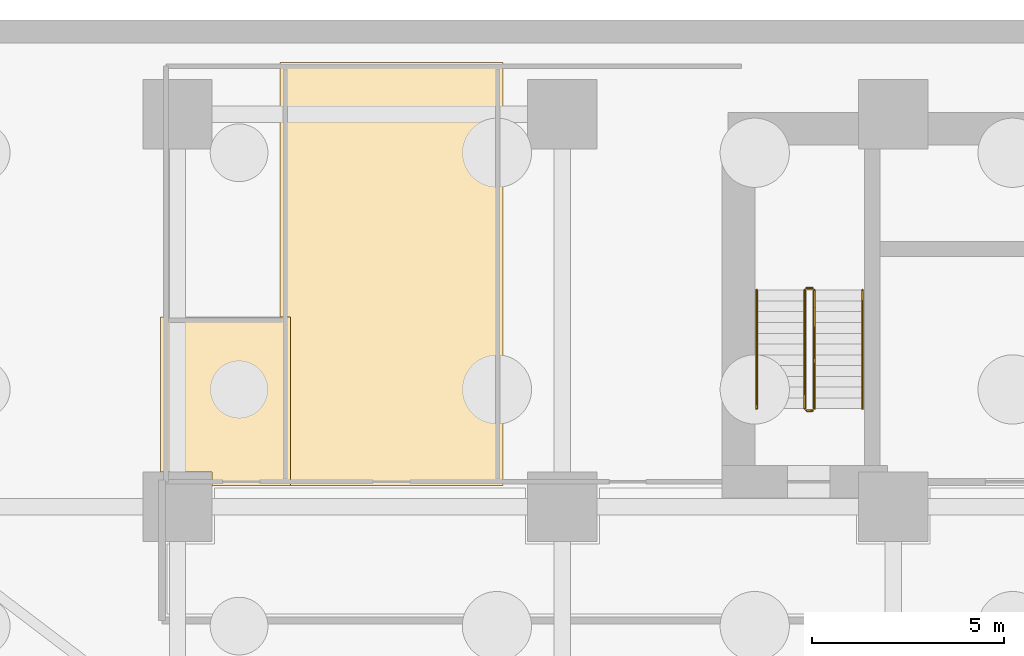
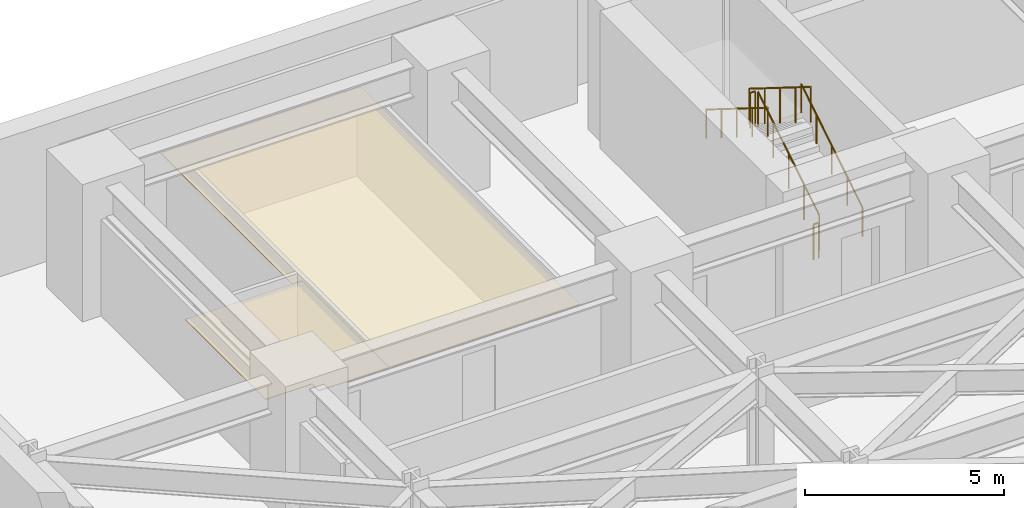
# One storey, part 7 of 12: 6 railings, 2 coverings.
"""IFC4 building model written with IfcOpenShell, lengths in metres."""

from ifc_helpers import new_model, si_unit, direction, frame, origin, origin_2d, place, context, subcontext, project, spatial, polyline, circle, outline, extrude, material, layer, layer_set, type_object, element, save


model = new_model("IFC4")

# Units and contexts
model_context = context("Model", 3, precision=1e-05, world=origin(), true_north=direction((0.0, 1.0)))
body_context = subcontext(model_context, "Body", "Model", "MODEL_VIEW")
ifc_project = project(units=[si_unit("LENGTHUNIT", "METRE"), si_unit("AREAUNIT", "SQUARE_METRE"), si_unit("VOLUMEUNIT", "CUBIC_METRE"), si_unit("PLANEANGLEUNIT", "RADIAN"), si_unit("MASSUNIT", "GRAM", prefix="KILO")], contexts=[model_context])

# Site, building, storey
site_placement = place(None, origin())
site = spatial("IfcSite", under=ifc_project, at=site_placement, CompositionType="ELEMENT")
building_placement = place(site_placement, origin())
building = spatial("IfcBuilding", under=site, at=building_placement, Name="Kravanh Interchange Tower", CompositionType="ELEMENT")
storey_placement = place(building_placement, frame((0.0, 0.0, -8.39990234375)))
storey = spatial("IfcBuildingStorey", under=building, at=storey_placement, Name="B2", CompositionType="ELEMENT", Elevation=-8.39990234375)

# Coverings
ifc_material_1 = material(Name="Acoustic Mineral Fibre Tile on Aluminium Grid", Category="aluminium")
ifc_layer_1 = layer(ifc_material_1, 0.02490234375)
ifc_layer_set_1 = layer_set([ifc_layer_1], Name="Perforated Acoustic Mineral Ceiling 25mm")
covering_type = type_object("IfcCoveringType", Name="Perforated Acoustic Mineral Ceiling 25mm", PredefinedType="CEILING", material=ifc_layer_set_1)
covering_1_placement = place(storey_placement, frame((0.0, 0.0, 2.5498046875)))
element("IfcCovering", 1, at=covering_1_placement, inside=storey, type_object=covering_type, Name="B2 Accessible WC Suspended Ceiling", PredefinedType="CEILING", context=body_context, shape_type="SweptSolid", body=[
    extrude(outline(polyline([(8.159912109375, 42.280029296875), (11.5400390625, 42.280029296875), (11.5400390625, 37.909912109375), (9.5, 37.909912109375), (9.5, 38.25), (8.159912109375, 38.25), (8.159912109375, 42.280029296875)])), origin(), (0.0, 0.0, 1.0), 0.025146484375),
])
covering_2_placement = place(storey_placement, frame((0.0, 0.0, 2.5498046875)))
element("IfcCovering", 2, at=covering_2_placement, inside=storey, type_object=covering_type, Name="B2 Female WC Suspended Ceiling", PredefinedType="CEILING", context=body_context, shape_type="SweptSolid", body=[
    extrude(outline(polyline([(17.06005859375, 48.889892578125), (17.06005859375, 37.909912109375), (11.260009765625, 37.909912109375), (11.260009765625, 48.889892578125), (17.06005859375, 48.889892578125)])), origin(), (0.0, 0.0, 1.0), 0.025146484375),
])

# Railings
ifc_material_2 = material(Name="Structural Steel S355", Category="steel")
ifc_layer_2 = layer(ifc_material_2, 0.050048828125)
ifc_layer_set_2 = layer_set([ifc_layer_2], Name="Stair Well Guardrail Structural Steel S355 1100mm")
railing_type_1 = type_object("IfcRailingType", Name="Stair Well Guardrail Structural Steel S355 1100mm", PredefinedType="GUARDRAIL", material=ifc_layer_set_2)
railing_1_placement = place(storey_placement, frame((25.14990234375, 39.89990234375, 0.1748046875)))
element("IfcRailing", 3, at=railing_1_placement, inside=storey, type_object=railing_type_1, Name="B2 ST3 stair guard 1", PredefinedType="GUARDRAIL", context=body_context, shape_type="SweptSolid", body=[
    extrude(circle(Radius=0.02392578125, at=origin_2d()), frame((0.0, 0.0, 1.076171875), z_axis=(0.0, 0.847998304005, 0.529998940003), x_axis=(-1.0, 0.0, 0.0)), (0.0, 0.0, 1.0), 3.632080078125),
    extrude(circle(Radius=0.02099609375, at=origin_2d()), origin(), (0.0, 0.0, 1.0), 1.052001953125),
    extrude(circle(Radius=0.02099609375, at=origin_2d()), frame((0.0, 0.77001953125, 0.481201171875)), (0.0, 0.0, 1.0), 1.052001953125),
    extrude(circle(Radius=0.02099609375, at=origin_2d()), frame((0.0, 1.5400390625, 0.96240234375)), (0.0, 0.0, 1.0), 1.052001953125),
    extrude(circle(Radius=0.02099609375, at=origin_2d()), frame((0.0, 2.31005859375, 1.44384765625)), (0.0, 0.0, 1.0), 1.052001953125),
    extrude(circle(Radius=0.02099609375, at=origin_2d()), frame((0.0, 3.080078125, 1.925048828125)), (0.0, 0.0, 1.0), 1.052001953125),
])
railing_2_placement = place(storey_placement, frame((25.10009765625, 43.030029296875, 2.099853515625)))
element("IfcRailing", 4, at=railing_2_placement, inside=storey, type_object=railing_type_1, Name="B2 ST3 stair guard 2", PredefinedType="GUARDRAIL", context=body_context, shape_type="SweptSolid", body=[
    extrude(circle(Radius=0.02392578125, at=origin_2d()), frame((0.0, 0.0, 1.076171875), z_axis=(-1.0, 0.0, 0.0), x_axis=(0.0, -1.0, 0.0)), (0.0, 0.0, 1.0), 0.150146484375),
    extrude(circle(Radius=0.02099609375, at=origin_2d()), origin(), (0.0, 0.0, 1.0), 1.052001953125),
    extrude(circle(Radius=0.02099609375, at=origin_2d()), frame((-0.150146484375, 0.0, 0.0)), (0.0, 0.0, 1.0), 1.052001953125),
])
railing_3_placement = place(storey_placement, frame((24.89990234375, 42.97998046875, 2.27490234375)))
element("IfcRailing", 5, at=railing_3_placement, inside=storey, type_object=railing_type_1, Name="B2 ST3 stair guard 3", PredefinedType="GUARDRAIL", context=body_context, shape_type="SweptSolid", body=[
    extrude(circle(Radius=0.02392578125, at=origin_2d()), frame((0.0, 0.0, 1.076171875), z_axis=(0.0, -0.847998304005, 0.529998940003), x_axis=(1.0, 0.0, 0.0)), (0.0, 0.0, 1.0), 3.632080078125),
    extrude(circle(Radius=0.02099609375, at=origin_2d()), origin(), (0.0, 0.0, 1.0), 1.052001953125),
    extrude(circle(Radius=0.02099609375, at=origin_2d()), frame((0.0, -0.77001953125, 0.481201171875)), (0.0, 0.0, 1.0), 1.052001953125),
    extrude(circle(Radius=0.02099609375, at=origin_2d()), frame((0.0, -1.5400390625, 0.96240234375)), (0.0, 0.0, 1.0), 1.052001953125),
    extrude(circle(Radius=0.02099609375, at=origin_2d()), frame((0.0, -2.31005859375, 1.44384765625)), (0.0, 0.0, 1.0), 1.052001953125),
    extrude(circle(Radius=0.02099609375, at=origin_2d()), frame((0.0, -3.080078125, 1.925048828125)), (0.0, 0.0, 1.0), 1.052001953125),
])
railing_4_placement = place(storey_placement, frame((25.10009765625, 39.85009765625, 0.0)))
element("IfcRailing", 6, at=railing_4_placement, inside=storey, type_object=railing_type_1, Name="B2 ST3 stair guard 4", PredefinedType="GUARDRAIL", context=body_context, shape_type="SweptSolid", body=[
    extrude(circle(Radius=0.02392578125, at=origin_2d()), frame((0.0, 0.0, 1.076171875), z_axis=(-1.0, 0.0, 0.0), x_axis=(0.0, -1.0, 0.0)), (0.0, 0.0, 1.0), 0.150146484375),
    extrude(circle(Radius=0.02099609375, at=origin_2d()), origin(), (0.0, 0.0, 1.0), 1.052001953125),
    extrude(circle(Radius=0.02099609375, at=origin_2d()), frame((-0.150146484375, 0.0, 0.0)), (0.0, 0.0, 1.0), 1.052001953125),
])
ifc_material_3 = material(Name="Stainless Steel 304", Category="steel")
ifc_layer_3 = layer(ifc_material_3, 0.044921875)
ifc_layer_set_3 = layer_set([ifc_layer_3], Name="Tubular Stair Handrail Stainless 304 900mm")
railing_type_2 = type_object("IfcRailingType", Name="Tubular Stair Handrail Stainless 304 900mm", PredefinedType="HANDRAIL", material=ifc_layer_set_3)
railing_5_placement = place(storey_placement, frame((26.39990234375, 39.89990234375, 0.1748046875)))
element("IfcRailing", 7, at=railing_5_placement, inside=storey, type_object=railing_type_2, Name="B2 ST3 stair handrail 1", PredefinedType="HANDRAIL", context=body_context, shape_type="SweptSolid", body=[
    extrude(circle(Radius=0.02392578125, at=origin_2d()), frame((0.0, 0.0, 0.8759765625), z_axis=(0.0, 0.847998304005, 0.529998940003), x_axis=(-1.0, 0.0, 0.0)), (0.0, 0.0, 1.0), 3.632080078125),
    extrude(circle(Radius=0.02099609375, at=origin_2d()), origin(), (0.0, 0.0, 1.0), 0.851806640625),
    extrude(circle(Radius=0.02099609375, at=origin_2d()), frame((0.0, 0.77001953125, 0.481201171875)), (0.0, 0.0, 1.0), 0.851806640625),
    extrude(circle(Radius=0.02099609375, at=origin_2d()), frame((0.0, 1.5400390625, 0.96240234375)), (0.0, 0.0, 1.0), 0.851806640625),
    extrude(circle(Radius=0.02099609375, at=origin_2d()), frame((0.0, 2.31005859375, 1.44384765625)), (0.0, 0.0, 1.0), 0.851806640625),
    extrude(circle(Radius=0.02099609375, at=origin_2d()), frame((0.0, 3.080078125, 1.925048828125)), (0.0, 0.0, 1.0), 0.851806640625),
])
railing_6_placement = place(storey_placement, frame((23.64990234375, 42.97998046875, 2.27490234375)))
element("IfcRailing", 8, at=railing_6_placement, inside=storey, type_object=railing_type_2, Name="B2 ST3 stair handrail 2", PredefinedType="HANDRAIL", context=body_context, shape_type="SweptSolid", body=[
    extrude(circle(Radius=0.02392578125, at=origin_2d()), frame((0.0, 0.0, 0.8759765625), z_axis=(0.0, -0.847998304005, 0.529998940003), x_axis=(1.0, 0.0, 0.0)), (0.0, 0.0, 1.0), 3.632080078125),
    extrude(circle(Radius=0.02099609375, at=origin_2d()), origin(), (0.0, 0.0, 1.0), 0.851806640625),
    extrude(circle(Radius=0.02099609375, at=origin_2d()), frame((0.0, -0.77001953125, 0.481201171875)), (0.0, 0.0, 1.0), 0.851806640625),
    extrude(circle(Radius=0.02099609375, at=origin_2d()), frame((0.0, -1.5400390625, 0.96240234375)), (0.0, 0.0, 1.0), 0.851806640625),
    extrude(circle(Radius=0.02099609375, at=origin_2d()), frame((0.0, -2.31005859375, 1.44384765625)), (0.0, 0.0, 1.0), 0.851806640625),
    extrude(circle(Radius=0.02099609375, at=origin_2d()), frame((0.0, -3.080078125, 1.925048828125)), (0.0, 0.0, 1.0), 0.851806640625),
])

save(model, "model.ifc")
